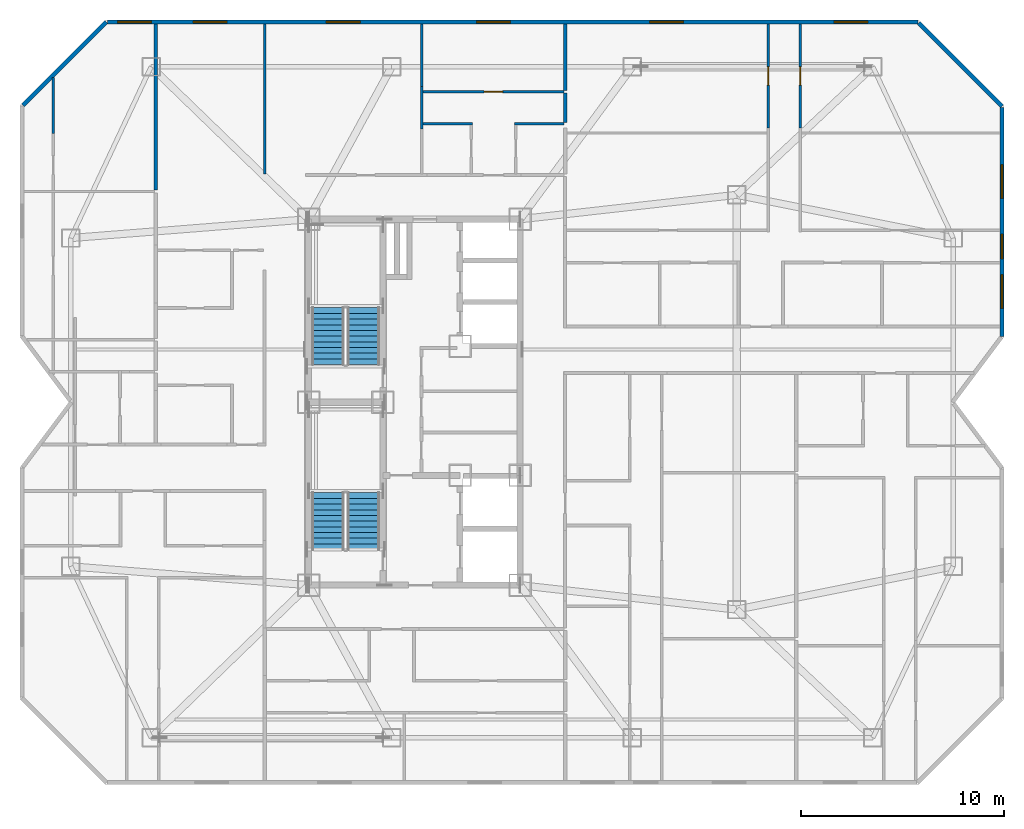
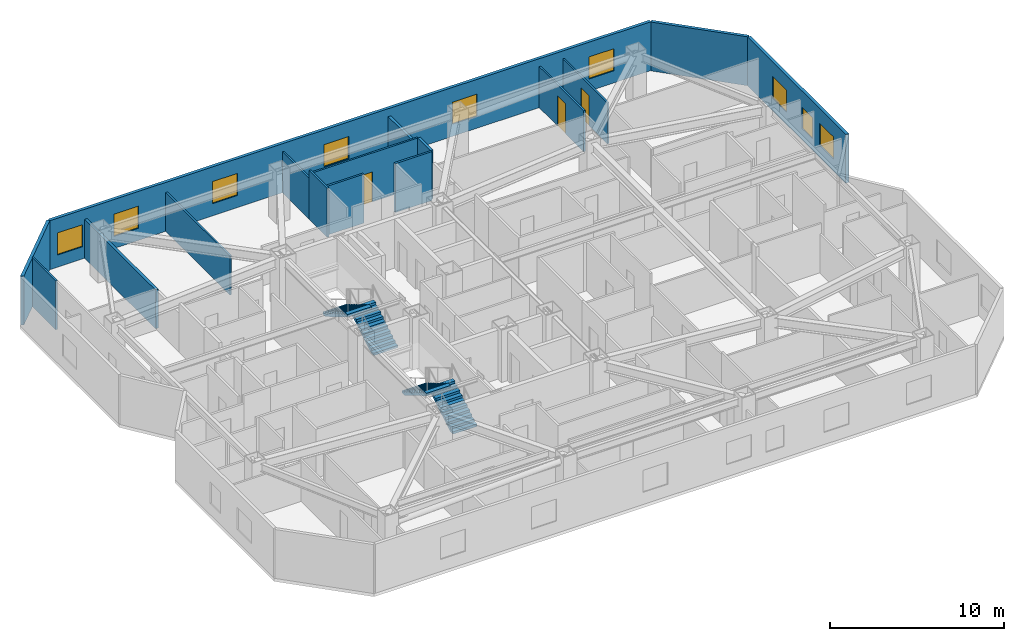
# One storey, part 10 of 11: 16 walls, 9 windows, 4 stair flights, 3 doors, 12 openings, 2 elements without a shape of their own.
"""IFC4 building model written with IfcOpenShell, lengths in metres."""

from ifc_helpers import new_model, si_unit, direction, frame, frame_2d, origin, place, context, subcontext, project, spatial, polyline, rectangle, outline, extrude, material, layer, layer_set, type_object, element, fill, aggregate, save


model = new_model("IFC4")

# Units and contexts
model_context = context("Model", 3, precision=1e-05, world=origin(), true_north=direction((0.0, 1.0)))
body_context = subcontext(model_context, "Body", "Model", "MODEL_VIEW")
ifc_project = project(units=[si_unit("LENGTHUNIT", "METRE"), si_unit("AREAUNIT", "SQUARE_METRE"), si_unit("VOLUMEUNIT", "CUBIC_METRE"), si_unit("PLANEANGLEUNIT", "RADIAN"), si_unit("MASSUNIT", "GRAM", prefix="KILO")], contexts=[model_context])

# Site, building, storey
site_placement = place(None, origin())
site = spatial("IfcSite", under=ifc_project, at=site_placement, CompositionType="ELEMENT")
building_placement = place(site_placement, origin())
building = spatial("IfcBuilding", under=site, at=building_placement, Name="Khamvora Tower", CompositionType="ELEMENT")
storey_placement = place(building_placement, frame((0.0, 0.0, 174.14990234375)))
storey = spatial("IfcBuildingStorey", under=building, at=storey_placement, Name="L44", CompositionType="ELEMENT", Elevation=174.14990234375)

# Walls
ifc_material_1 = material(Name="Acoustic Double-Stud Fire Wall", Category="gypsum")
ifc_layer_1 = layer(ifc_material_1, 0.179931640625)
ifc_layer_set_1 = layer_set([ifc_layer_1], Name="Acoustic Double-Stud Fire Wall")
wall_type_1 = type_object("IfcWallType", Name="WAL-CORR-180", PredefinedType="STANDARD", material=ifc_layer_set_1)
wall_1_placement = place(storey_placement, frame((21.47509765625, 46.60791015625, 0.0), z_axis=(0.0, 0.0, 1.0), x_axis=(0.0, -1.0, 0.0)))
element("IfcWall", 1, at=wall_1_placement, inside=storey, type_object=wall_type_1, Name="L44 interior partition wall 072", PredefinedType="STANDARD", context=body_context, shape_type="SweptSolid", body=[
    extrude(rectangle(XDim=8.179931640625, YDim=0.179931640625, at=frame_2d((4.08984375, 0.0))), origin(), (0.0, 0.0, 1.0), 2.72509765625),
])
wall_2_placement = place(storey_placement, frame((41.614990234375, 43.2099609375, 0.0), z_axis=(0.0, 0.0, 1.0), x_axis=(0.0, -1.0, 0.0)))
element("IfcWall", 2, at=wall_2_placement, inside=storey, type_object=wall_type_1, Name="L44 interior partition wall 094", PredefinedType="STANDARD", context=body_context, shape_type="SweptSolid", body=[
    extrude(rectangle(XDim=1.449951171875, YDim=0.179931640625, at=frame_2d((0.72509765625, 0.0))), origin(), (0.0, 0.0, 1.0), 3.43017578125),
])
wall_3_placement = place(storey_placement, frame((41.614990234375, 46.60791015625, 0.0), z_axis=(0.0, 0.0, 1.0), x_axis=(0.0, -1.0, 0.0)))
element("IfcWall", 3, at=wall_3_placement, inside=storey, type_object=wall_type_1, Name="L44 interior partition wall 096", PredefinedType="STANDARD", context=body_context, shape_type="SweptSolid", body=[
    extrude(rectangle(XDim=3.267822265625, YDim=0.179931640625, at=frame_2d((1.6337890625, 0.0))), origin(), (0.0, 0.0, 1.0), 2.8759765625),
])
ifc_material_2 = material(Name="Precast concrete C40/50", Category="concrete")
ifc_layer_2 = layer(ifc_material_2, 0.199951171875)
ifc_layer_set_2 = layer_set([ifc_layer_2], Name="Precast concrete C40/50")
wall_type_2 = type_object("IfcWallType", Name="WAL-EXT-200", PredefinedType="STANDARD", material=ifc_layer_set_2)
wall_4_placement = place(storey_placement, frame((14.945068359375, 42.60400390625, 0.0), z_axis=(0.0, 0.0, 1.0), x_axis=(0.707106781187, 0.707106781187, 0.0)))
element("IfcWall", 4, at=wall_4_placement, inside=storey, type_object=wall_type_2, Name="L44 exterior facade wall 06.1", PredefinedType="STANDARD", context=body_context, shape_type="SweptSolid", body=[
    extrude(rectangle(XDim=5.79248046875, YDim=0.199951171875, at=frame_2d((2.896240234375, 0.0))), origin(), (0.0, 0.0, 1.0), 3.43017578125),
])

# Wall, openings, windows
wall_5_placement = place(storey_placement, frame((19.10205078125, 46.699951171875, 0.0), z_axis=(0.0, 0.0, 1.0), x_axis=(1.0, 0.0, 0.0)))
wall_5 = element("IfcWall", 5, at=wall_5_placement, inside=storey, type_object=wall_type_2, Name="L44 exterior facade wall 07.1", PredefinedType="STANDARD", context=body_context, shape_type="SweptSolid", body=[
    extrude(rectangle(XDim=39.85693359375, YDim=0.199951171875, at=frame_2d((19.928466796875, 0.0))), origin(), (0.0, 0.0, 1.0), 3.43017578125),
])
opening_1_placement = place(wall_5_placement, frame((10.77294921875, 0.0, 0.85009765625)))
opening_1 = element("IfcOpeningElement", 6, at=opening_1_placement, cuts=wall_5, Name="Opening WN-06", PredefinedType="OPENING", context=body_context, shape_type="SweptSolid", body=[
    extrude(rectangle(XDim=1.64990234375, YDim=1.550048828125, at=frame_2d((0.824951171875, 0.77490234375))), frame((0.0, 0.10986328125, 0.0), z_axis=(0.0, -1.0, 0.0), x_axis=(1.0, 0.0, 0.0)), (0.0, 0.0, 1.0), 0.219970703125),
])
opening_2_placement = place(wall_5_placement, frame((0.50390625, 0.0, 0.85009765625)))
opening_2 = element("IfcOpeningElement", 7, at=opening_2_placement, cuts=wall_5, Name="Opening WN-06", PredefinedType="OPENING", context=body_context, shape_type="SweptSolid", body=[
    extrude(rectangle(XDim=1.64990234375, YDim=1.550048828125, at=frame_2d((0.824951171875, 0.77490234375))), frame((0.0, 0.10986328125, 0.0), z_axis=(0.0, -1.0, 0.0), x_axis=(1.0, 0.0, 0.0)), (0.0, 0.0, 1.0), 0.219970703125),
])
opening_3_placement = place(wall_5_placement, frame((4.22802734375, 0.0, 0.85009765625)))
opening_3 = element("IfcOpeningElement", 8, at=opening_3_placement, cuts=wall_5, Name="Opening WN-06", PredefinedType="OPENING", context=body_context, shape_type="SweptSolid", body=[
    extrude(rectangle(XDim=1.64990234375, YDim=1.550048828125, at=frame_2d((0.824951171875, 0.77490234375))), frame((0.0, 0.10986328125, 0.0), z_axis=(0.0, -1.0, 0.0), x_axis=(1.0, 0.0, 0.0)), (0.0, 0.0, 1.0), 0.219970703125),
])
opening_4_placement = place(wall_5_placement, frame((18.1630859375, 0.0, 0.85009765625)))
opening_4 = element("IfcOpeningElement", 9, at=opening_4_placement, cuts=wall_5, Name="Opening WN-06", PredefinedType="OPENING", context=body_context, shape_type="SweptSolid", body=[
    extrude(rectangle(XDim=1.64990234375, YDim=1.550048828125, at=frame_2d((0.824951171875, 0.77490234375))), frame((0.0, 0.10986328125, 0.0), z_axis=(0.0, -1.0, 0.0), x_axis=(1.0, 0.0, 0.0)), (0.0, 0.0, 1.0), 0.219970703125),
])
opening_5_placement = place(wall_5_placement, frame((26.679931640625, 0.0, 0.85009765625)))
opening_5 = element("IfcOpeningElement", 10, at=opening_5_placement, cuts=wall_5, Name="Opening WN-06", PredefinedType="OPENING", context=body_context, shape_type="SweptSolid", body=[
    extrude(rectangle(XDim=1.64990234375, YDim=1.550048828125, at=frame_2d((0.824951171875, 0.77490234375))), frame((0.0, 0.10986328125, 0.0), z_axis=(0.0, -1.0, 0.0), x_axis=(1.0, 0.0, 0.0)), (0.0, 0.0, 1.0), 0.219970703125),
])
opening_6_placement = place(wall_5_placement, frame((35.7451171875, 0.0, 0.85009765625)))
opening_6 = element("IfcOpeningElement", 11, at=opening_6_placement, cuts=wall_5, Name="Opening WN-06", PredefinedType="OPENING", context=body_context, shape_type="SweptSolid", body=[
    extrude(rectangle(XDim=1.64990234375, YDim=1.550048828125, at=frame_2d((0.824951171875, 0.77490234375))), frame((0.0, 0.10986328125, 0.0), z_axis=(0.0, -1.0, 0.0), x_axis=(1.0, 0.0, 0.0)), (0.0, 0.0, 1.0), 0.219970703125),
])
ifc_material_3 = material(Name="Low-E Laminated Double Glazing", Category="glass")
window_type_1 = type_object("IfcWindowType", Name="WIN-VIS-1650x1550", PartitioningType="SINGLE_PANEL", PredefinedType="WINDOW", material=ifc_material_3)
window_1_placement = place(opening_1_placement, origin())
window_1 = element("IfcWindow", 12, at=window_1_placement, inside=storey, type_object=window_type_1, Name="L44 vision window 07.1.01", OverallHeight=1.550048828125, OverallWidth=1.64990234375, PartitioningType="SINGLE_PANEL", PredefinedType="WINDOW", context=body_context, shape_type="SweptSolid", body=[
    extrude(rectangle(XDim=1.64990234375, YDim=1.550048828125, at=frame_2d((0.824951171875, 0.77490234375))), frame((0.0, 0.030029296875, 0.0), z_axis=(0.0, -1.0, 0.0), x_axis=(1.0, 0.0, 0.0)), (0.0, 0.0, 1.0), 0.06005859375),
])
fill(opening_1, window_1)
window_2_placement = place(opening_2_placement, origin())
window_2 = element("IfcWindow", 13, at=window_2_placement, inside=storey, type_object=window_type_1, Name="L44 vision window 07.1.02", OverallHeight=1.550048828125, OverallWidth=1.64990234375, PartitioningType="SINGLE_PANEL", PredefinedType="WINDOW", context=body_context, shape_type="SweptSolid", body=[
    extrude(rectangle(XDim=1.64990234375, YDim=1.550048828125, at=frame_2d((0.824951171875, 0.77490234375))), frame((0.0, 0.030029296875, 0.0), z_axis=(0.0, -1.0, 0.0), x_axis=(1.0, 0.0, 0.0)), (0.0, 0.0, 1.0), 0.06005859375),
])
fill(opening_2, window_2)
window_3_placement = place(opening_3_placement, origin())
window_3 = element("IfcWindow", 14, at=window_3_placement, inside=storey, type_object=window_type_1, Name="L44 vision window 07.1.03", OverallHeight=1.550048828125, OverallWidth=1.64990234375, PartitioningType="SINGLE_PANEL", PredefinedType="WINDOW", context=body_context, shape_type="SweptSolid", body=[
    extrude(rectangle(XDim=1.64990234375, YDim=1.550048828125, at=frame_2d((0.824951171875, 0.77490234375))), frame((0.0, 0.030029296875, 0.0), z_axis=(0.0, -1.0, 0.0), x_axis=(1.0, 0.0, 0.0)), (0.0, 0.0, 1.0), 0.06005859375),
])
fill(opening_3, window_3)
window_4_placement = place(opening_4_placement, origin())
window_4 = element("IfcWindow", 15, at=window_4_placement, inside=storey, type_object=window_type_1, Name="L44 vision window 07.1.04", OverallHeight=1.550048828125, OverallWidth=1.64990234375, PartitioningType="SINGLE_PANEL", PredefinedType="WINDOW", context=body_context, shape_type="SweptSolid", body=[
    extrude(rectangle(XDim=1.64990234375, YDim=1.550048828125, at=frame_2d((0.824951171875, 0.77490234375))), frame((0.0, 0.030029296875, 0.0), z_axis=(0.0, -1.0, 0.0), x_axis=(1.0, 0.0, 0.0)), (0.0, 0.0, 1.0), 0.06005859375),
])
fill(opening_4, window_4)
window_5_placement = place(opening_5_placement, origin())
window_5 = element("IfcWindow", 16, at=window_5_placement, inside=storey, type_object=window_type_1, Name="L44 vision window 07.1.05", OverallHeight=1.550048828125, OverallWidth=1.64990234375, PartitioningType="SINGLE_PANEL", PredefinedType="WINDOW", context=body_context, shape_type="SweptSolid", body=[
    extrude(rectangle(XDim=1.64990234375, YDim=1.550048828125, at=frame_2d((0.824951171875, 0.77490234375))), frame((0.0, 0.030029296875, 0.0), z_axis=(0.0, -1.0, 0.0), x_axis=(1.0, 0.0, 0.0)), (0.0, 0.0, 1.0), 0.06005859375),
])
fill(opening_5, window_5)
window_6_placement = place(opening_6_placement, origin())
window_6 = element("IfcWindow", 17, at=window_6_placement, inside=storey, type_object=window_type_1, Name="L44 vision window 07.1.06", OverallHeight=1.550048828125, OverallWidth=1.64990234375, PartitioningType="SINGLE_PANEL", PredefinedType="WINDOW", context=body_context, shape_type="SweptSolid", body=[
    extrude(rectangle(XDim=1.64990234375, YDim=1.550048828125, at=frame_2d((0.824951171875, 0.77490234375))), frame((0.0, 0.030029296875, 0.0), z_axis=(0.0, -1.0, 0.0), x_axis=(1.0, 0.0, 0.0)), (0.0, 0.0, 1.0), 0.06005859375),
])
fill(opening_6, window_6)

# Wall
wall_6_placement = place(storey_placement, frame((59.0029296875, 46.656005859375, 0.0), z_axis=(0.0, 0.0, 1.0), x_axis=(0.707127848917, -0.707085712828, 0.0)))
element("IfcWall", 18, at=wall_6_placement, inside=storey, type_object=wall_type_2, Name="L44 exterior facade wall 08.1", PredefinedType="STANDARD", context=body_context, shape_type="SweptSolid", body=[
    extrude(rectangle(XDim=5.794189453125, YDim=0.199951171875, at=frame_2d((2.89697265625, 0.0))), origin(), (0.0, 0.0, 1.0), 3.43017578125),
])

# Wall, openings, windows
wall_7_placement = place(storey_placement, frame((63.10009765625, 42.49609375, 0.0), z_axis=(0.0, 0.0, 1.0), x_axis=(0.0, -1.0, 0.0)))
wall_7 = element("IfcWall", 19, at=wall_7_placement, inside=storey, type_object=wall_type_2, Name="L44 exterior facade wall 09.1", PredefinedType="STANDARD", context=body_context, shape_type="SweptSolid", body=[
    extrude(rectangle(XDim=11.26318359375, YDim=0.199951171875, at=frame_2d((5.631591796875, 0.0))), origin(), (0.0, 0.0, 1.0), 3.43017578125),
])
opening_7_placement = place(wall_7_placement, frame((8.22802734375, 0.0, 0.85009765625)))
opening_7 = element("IfcOpeningElement", 20, at=opening_7_placement, cuts=wall_7, Name="Opening WN-06", PredefinedType="OPENING", context=body_context, shape_type="SweptSolid", body=[
    extrude(rectangle(XDim=1.64990234375, YDim=1.550048828125, at=frame_2d((0.824951171875, 0.77490234375))), frame((0.0, 0.10986328125, 0.0), z_axis=(0.0, -1.0, 0.0), x_axis=(1.0, 0.0, 0.0)), (0.0, 0.0, 1.0), 0.219970703125),
])
opening_8_placement = place(wall_7_placement, frame((6.237060546875, 0.0, 0.800048828125)))
opening_8 = element("IfcOpeningElement", 21, at=opening_8_placement, cuts=wall_7, Name="Opening WN-03", PredefinedType="OPENING", context=body_context, shape_type="SweptSolid", body=[
    extrude(rectangle(XDim=1.199951171875, YDim=1.5, at=frame_2d((0.60009765625, 0.75))), frame((0.0, 0.10986328125, 0.0), z_axis=(0.0, -1.0, 0.0), x_axis=(1.0, 0.0, 0.0)), (0.0, 0.0, 1.0), 0.219970703125),
])
opening_9_placement = place(wall_7_placement, frame((2.825927734375, 0.0, 0.85009765625)))
opening_9 = element("IfcOpeningElement", 22, at=opening_9_placement, cuts=wall_7, Name="Opening WN-06", PredefinedType="OPENING", context=body_context, shape_type="SweptSolid", body=[
    extrude(rectangle(XDim=1.64990234375, YDim=1.550048828125, at=frame_2d((0.824951171875, 0.77490234375))), frame((0.0, 0.10986328125, 0.0), z_axis=(0.0, -1.0, 0.0), x_axis=(1.0, 0.0, 0.0)), (0.0, 0.0, 1.0), 0.219970703125),
])
window_type_2 = type_object("IfcWindowType", Name="WIN-VIS-1200x1500", PartitioningType="SINGLE_PANEL", PredefinedType="WINDOW", material=ifc_material_3)
window_7_placement = place(opening_8_placement, origin())
window_7 = element("IfcWindow", 23, at=window_7_placement, inside=storey, type_object=window_type_2, Name="L44 vision window 09.1.02", OverallHeight=1.5, OverallWidth=1.199951171875, PartitioningType="SINGLE_PANEL", PredefinedType="WINDOW", context=body_context, shape_type="SweptSolid", body=[
    extrude(rectangle(XDim=1.199951171875, YDim=1.5, at=frame_2d((0.60009765625, 0.75))), frame((0.0, 0.030029296875, 0.0), z_axis=(0.0, -1.0, 0.0), x_axis=(1.0, 0.0, 0.0)), (0.0, 0.0, 1.0), 0.06005859375),
])
fill(opening_8, window_7)
window_8_placement = place(opening_7_placement, origin())
window_8 = element("IfcWindow", 24, at=window_8_placement, inside=storey, type_object=window_type_1, Name="L44 vision window 09.1.01", OverallHeight=1.550048828125, OverallWidth=1.64990234375, PartitioningType="SINGLE_PANEL", PredefinedType="WINDOW", context=body_context, shape_type="SweptSolid", body=[
    extrude(rectangle(XDim=1.64990234375, YDim=1.550048828125, at=frame_2d((0.824951171875, 0.77490234375))), frame((0.0, 0.030029296875, 0.0), z_axis=(0.0, -1.0, 0.0), x_axis=(1.0, 0.0, 0.0)), (0.0, 0.0, 1.0), 0.06005859375),
])
fill(opening_7, window_8)
window_9_placement = place(opening_9_placement, origin())
window_9 = element("IfcWindow", 25, at=window_9_placement, inside=storey, type_object=window_type_1, Name="L44 vision window 09.1.03", OverallHeight=1.550048828125, OverallWidth=1.64990234375, PartitioningType="SINGLE_PANEL", PredefinedType="WINDOW", context=body_context, shape_type="SweptSolid", body=[
    extrude(rectangle(XDim=1.64990234375, YDim=1.550048828125, at=frame_2d((0.824951171875, 0.77490234375))), frame((0.0, 0.030029296875, 0.0), z_axis=(0.0, -1.0, 0.0), x_axis=(1.0, 0.0, 0.0)), (0.0, 0.0, 1.0), 0.06005859375),
])
fill(opening_9, window_9)

# Walls
ifc_material_4 = material(Name="Gypsum Plasterboard Partition", Category="gypsum")
ifc_layer_3 = layer(ifc_material_4, 0.1201171875)
ifc_layer_set_3 = layer_set([ifc_layer_3], Name="Gypsum Plasterboard Partition")
wall_type_3 = type_object("IfcWallType", Name="WAL-PART-120", PredefinedType="PARTITIONING", material=ifc_layer_set_3)
wall_8_placement = place(storey_placement, frame((26.8349609375, 39.22998046875, 0.0), z_axis=(0.0, 0.0, 1.0), x_axis=(0.0, 1.0, 0.0)))
element("IfcWall", 26, at=wall_8_placement, inside=storey, type_object=wall_type_3, Name="L44 interior partition wall 043", PredefinedType="PARTITIONING", context=body_context, shape_type="SweptSolid", body=[
    extrude(rectangle(XDim=7.3779296875, YDim=0.1201171875, at=frame_2d((3.68896484375, 0.0))), origin(), (0.0, 0.0, 1.0), 2.72509765625),
])
wall_9_placement = place(storey_placement, frame((34.56494140625, 43.52392578125, 0.0), z_axis=(0.0, 0.0, 1.0), x_axis=(0.0, -1.0, 0.0)))
element("IfcWall", 27, at=wall_9_placement, inside=storey, type_object=wall_type_3, Name="L44 interior partition wall 044", PredefinedType="PARTITIONING", context=body_context, shape_type="SweptSolid", body=[
    extrude(rectangle(XDim=2.077880859375, YDim=0.1201171875, at=frame_2d((1.0390625, 0.0))), origin(), (0.0, 0.0, 1.0), 3.43017578125),
])
wall_10_placement = place(storey_placement, frame((34.56494140625, 46.60791015625, 0.0), z_axis=(0.0, 0.0, 1.0), x_axis=(0.0, -1.0, 0.0)))
element("IfcWall", 28, at=wall_10_placement, inside=storey, type_object=wall_type_3, Name="L44 interior partition wall 046", PredefinedType="PARTITIONING", context=body_context, shape_type="SweptSolid", body=[
    extrude(rectangle(XDim=3.083984375, YDim=0.1201171875, at=frame_2d((1.5419921875, 0.0))), origin(), (0.0, 0.0, 1.0), 2.8759765625),
])
wall_11_placement = place(storey_placement, frame((16.425048828125, 43.968994140625, 0.0), z_axis=(0.0, 0.0, 1.0), x_axis=(0.0, -1.0, 0.0)))
element("IfcWall", 29, at=wall_11_placement, inside=storey, type_object=wall_type_3, Name="L44 interior partition wall 064", PredefinedType="PARTITIONING", context=body_context, shape_type="SweptSolid", body=[
    extrude(rectangle(XDim=2.757080078125, YDim=0.1201171875, at=frame_2d((1.37841796875, 0.0))), origin(), (0.0, 0.0, 1.0), 3.43017578125),
])

# Wall, opening, door
wall_12_placement = place(storey_placement, frame((34.618896484375, 43.27490234375, 0.0), z_axis=(0.0, 0.0, 1.0), x_axis=(1.0, 0.0, 0.0)))
wall_12 = element("IfcWall", 30, at=wall_12_placement, inside=storey, type_object=wall_type_3, Name="L44 interior partition wall 093", PredefinedType="PARTITIONING", context=body_context, shape_type="SweptSolid", body=[
    extrude(rectangle(XDim=6.93115234375, YDim=0.1201171875, at=frame_2d((3.465576171875, 0.0))), origin(), (0.0, 0.0, 1.0), 3.43017578125),
])
opening_10_placement = place(wall_12_placement, frame((3.014892578125, 0.0, 0.0)))
opening_10 = element("IfcOpeningElement", 31, at=opening_10_placement, cuts=wall_12, Name="Opening D-RM1", PredefinedType="OPENING", context=body_context, shape_type="SweptSolid", body=[
    extrude(rectangle(XDim=0.89990234375, YDim=2.10009765625, at=frame_2d((0.449951171875, 1.050048828125))), frame((0.0, 0.070068359375, 0.0), z_axis=(0.0, -1.0, 0.0), x_axis=(1.0, 0.0, 0.0)), (0.0, 0.0, 1.0), 0.14013671875),
])
ifc_material_5 = material(Name="Powder-Coated Steel and Hardwood Leaf", Category="steel")
door_type = type_object("IfcDoorType", Name="DOR-ROOM-900", OperationType="NOTDEFINED", PredefinedType="DOOR", material=ifc_material_5)
door_1_placement = place(opening_10_placement, origin())
door_1 = element("IfcDoor", 32, at=door_1_placement, inside=storey, type_object=door_type, Name="L44 interior door 44NAH-44NAS", OperationType="SINGLE_SWING_LEFT", OverallHeight=2.10009765625, OverallWidth=0.89990234375, PredefinedType="DOOR", context=body_context, shape_type="SweptSolid", body=[
    extrude(rectangle(XDim=0.89990234375, YDim=2.10009765625, at=frame_2d((0.449951171875, 1.050048828125))), frame((0.0, 0.02490234375, 0.0), z_axis=(0.0, -1.0, 0.0), x_axis=(1.0, 0.0, 0.0)), (0.0, 0.0, 1.0), 0.050048828125),
])
fill(opening_10, door_1)

wall_13_placement = place(storey_placement, frame((51.60009765625, 41.489990234375, 0.0), z_axis=(0.0, 0.0, 1.0), x_axis=(0.0, 1.0, 0.0)))
wall_13 = element("IfcWall", 33, at=wall_13_placement, inside=storey, type_object=wall_type_3, Name="L44 interior partition wall 135", PredefinedType="PARTITIONING", context=body_context, shape_type="SweptSolid", body=[
    extrude(rectangle(XDim=5.117919921875, YDim=0.1201171875, at=frame_2d((2.55908203125, 0.0))), origin(), (0.0, 0.0, 1.0), 2.8759765625),
])
opening_11_placement = place(wall_13_placement, frame((2.10888671875, 0.0, 0.0)))
opening_11 = element("IfcOpeningElement", 34, at=opening_11_placement, cuts=wall_13, Name="Opening D-RM1", PredefinedType="OPENING", context=body_context, shape_type="SweptSolid", body=[
    extrude(rectangle(XDim=0.89990234375, YDim=2.10009765625, at=frame_2d((0.449951171875, 1.050048828125))), frame((0.0, 0.070068359375, 0.0), z_axis=(0.0, -1.0, 0.0), x_axis=(1.0, 0.0, 0.0)), (0.0, 0.0, 1.0), 0.14013671875),
])
door_2_placement = place(opening_11_placement, origin())
door_2 = element("IfcDoor", 35, at=door_2_placement, inside=storey, type_object=door_type, Name="L44 interior door 44ECH-44ECR2", OperationType="SINGLE_SWING_RIGHT", OverallHeight=2.10009765625, OverallWidth=0.89990234375, PredefinedType="DOOR", context=body_context, shape_type="SweptSolid", body=[
    extrude(rectangle(XDim=0.89990234375, YDim=2.10009765625, at=frame_2d((0.449951171875, 1.050048828125))), frame((0.0, 0.02490234375, 0.0), z_axis=(0.0, -1.0, 0.0), x_axis=(1.0, 0.0, 0.0)), (0.0, 0.0, 1.0), 0.050048828125),
])
fill(opening_11, door_2)

wall_14_placement = place(storey_placement, frame((53.169921875, 46.60791015625, 0.0), z_axis=(0.0, 0.0, 1.0), x_axis=(0.0, -1.0, 0.0)))
wall_14 = element("IfcWall", 36, at=wall_14_placement, inside=storey, type_object=wall_type_3, Name="L44 interior partition wall 138", PredefinedType="PARTITIONING", context=body_context, shape_type="SweptSolid", body=[
    extrude(rectangle(XDim=5.117919921875, YDim=0.1201171875, at=frame_2d((2.55908203125, 0.0))), origin(), (0.0, 0.0, 1.0), 2.8759765625),
])
opening_12_placement = place(wall_14_placement, frame((2.10888671875, 0.0, 0.0)))
opening_12 = element("IfcOpeningElement", 37, at=opening_12_placement, cuts=wall_14, Name="Opening D-RM1", PredefinedType="OPENING", context=body_context, shape_type="SweptSolid", body=[
    extrude(rectangle(XDim=0.89990234375, YDim=2.10009765625, at=frame_2d((0.449951171875, 1.050048828125))), frame((0.0, 0.070068359375, 0.0), z_axis=(0.0, -1.0, 0.0), x_axis=(1.0, 0.0, 0.0)), (0.0, 0.0, 1.0), 0.14013671875),
])
door_3_placement = place(opening_12_placement, origin())
door_3 = element("IfcDoor", 38, at=door_3_placement, inside=storey, type_object=door_type, Name="L44 interior door 44ECH-44ECR4", OperationType="SINGLE_SWING_RIGHT", OverallHeight=2.10009765625, OverallWidth=0.89990234375, PredefinedType="DOOR", context=body_context, shape_type="SweptSolid", body=[
    extrude(rectangle(XDim=0.89990234375, YDim=2.10009765625, at=frame_2d((0.449951171875, 1.050048828125))), frame((0.0, 0.02490234375, 0.0), z_axis=(0.0, -1.0, 0.0), x_axis=(1.0, 0.0, 0.0)), (0.0, 0.0, 1.0), 0.050048828125),
])
fill(opening_12, door_3)

# Walls
ifc_material_6 = material(Name="Moisture-Resistant Plasterboard Partition", Category="gypsum")
ifc_layer_4 = layer(ifc_material_6, 0.135009765625)
ifc_layer_set_4 = layer_set([ifc_layer_4], Name="Moisture-Resistant Plasterboard Partition")
wall_type_4 = type_object("IfcWallType", Name="WAL-WET-135", PredefinedType="PARTITIONING", material=ifc_layer_set_4)
wall_15_placement = place(storey_placement, frame((41.550048828125, 41.695068359375, 0.0), z_axis=(0.0, 0.0, 1.0), x_axis=(-1.0, 0.0, 0.0)))
element("IfcWall", 39, at=wall_15_placement, inside=storey, type_object=wall_type_4, Name="L44 interior partition wall 089", PredefinedType="PARTITIONING", context=body_context, shape_type="SweptSolid", body=[
    extrude(rectangle(XDim=2.425048828125, YDim=0.135009765625, at=frame_2d((1.21240234375, 0.0))), origin(), (0.0, 0.0, 1.0), 3.43017578125),
])
wall_16_placement = place(storey_placement, frame((37.054931640625, 41.695068359375, 0.0), z_axis=(0.0, 0.0, 1.0), x_axis=(-1.0, 0.0, 0.0)))
element("IfcWall", 40, at=wall_16_placement, inside=storey, type_object=wall_type_4, Name="L44 interior partition wall 092", PredefinedType="PARTITIONING", context=body_context, shape_type="SweptSolid", body=[
    extrude(rectangle(XDim=2.43603515625, YDim=0.135009765625, at=frame_2d((1.218017578125, 0.0))), origin(), (0.0, 0.0, 1.0), 3.43017578125),
])

# Stair, stair flights
ifc_material_7 = material(Name="Concrete C40/50", Category="concrete")
stair_type_1 = type_object("IfcStairType", Name="STR-ST-01", PredefinedType="HALF_TURN_STAIR", material=ifc_material_7)
stair_1_placement = place(storey_placement, origin())
stair_1 = element("IfcStair", 41, at=stair_1_placement, inside=storey, type_object=stair_type_1, Name="L44 South Tower Exit Stair ST-01", PredefinedType="HALF_TURN_STAIR")
stair_flight_type_1 = type_object("IfcStairFlightType", Name="STF-ST-01", PredefinedType="STRAIGHT", material=ifc_material_7)
stair_flight_1_placement = place(storey_placement, frame((31.699951171875, 20.75, 0.0), z_axis=(0.0, 0.0, 1.0), x_axis=(0.0, 1.0, 0.0)))
stair_flight_1 = element("IfcStairFlight", 42, at=stair_flight_1_placement, type_object=stair_flight_type_1, Name="ST-01 flight 1", NumberOfRisers=11, NumberOfTreads=10, PredefinedType="STRAIGHT", RiserHeight=0.165909091, TreadLength=0.28, context=body_context, shape_type="SweptSolid", body=[
    extrude(outline(polyline([(0.0, 0.0), (0.0, 0.166015625), (0.280029296875, 0.166015625), (0.280029296875, 0.331787109375), (0.56005859375, 0.331787109375), (0.56005859375, 0.497802734375), (0.840087890625, 0.497802734375), (0.840087890625, 0.66357421875), (1.1201171875, 0.66357421875), (1.1201171875, 0.82958984375), (1.39990234375, 0.82958984375), (1.39990234375, 0.995361328125), (1.679931640625, 0.995361328125), (1.679931640625, 1.161376953125), (1.9599609375, 1.161376953125), (1.9599609375, 1.327392578125), (2.239990234375, 1.327392578125), (2.239990234375, 1.4931640625), (2.52001953125, 1.4931640625), (2.52001953125, 1.6591796875), (2.800048828125, 1.6591796875), (2.800048828125, 1.824951171875), (2.800048828125, 1.48486328125), (0.2939453125, 0.0), (0.0, 0.0)])), frame((0.0, 0.800048828125, 0.0), z_axis=(0.0, -1.0, 0.0), x_axis=(1.0, 0.0, 0.0)), (0.0, 0.0, 1.0), 1.60009765625),
])
stair_flight_2_placement = place(storey_placement, frame((29.949951171875, 23.550048828125, 1.8251953125), z_axis=(0.0, 0.0, 1.0), x_axis=(0.0, -1.0, 0.0)))
stair_flight_2 = element("IfcStairFlight", 43, at=stair_flight_2_placement, type_object=stair_flight_type_1, Name="ST-01 flight 2", NumberOfRisers=11, NumberOfTreads=10, PredefinedType="STRAIGHT", RiserHeight=0.165909091, TreadLength=0.28, context=body_context, shape_type="SweptSolid", body=[
    extrude(outline(polyline([(0.0, 0.0), (0.0, 0.166015625), (0.280029296875, 0.166015625), (0.280029296875, 0.331787109375), (0.56005859375, 0.331787109375), (0.56005859375, 0.497802734375), (0.840087890625, 0.497802734375), (0.840087890625, 0.66357421875), (1.1201171875, 0.66357421875), (1.1201171875, 0.82958984375), (1.39990234375, 0.82958984375), (1.39990234375, 0.995361328125), (1.679931640625, 0.995361328125), (1.679931640625, 1.161376953125), (1.9599609375, 1.161376953125), (1.9599609375, 1.327392578125), (2.239990234375, 1.327392578125), (2.239990234375, 1.4931640625), (2.52001953125, 1.4931640625), (2.52001953125, 1.6591796875), (2.800048828125, 1.6591796875), (2.800048828125, 1.824951171875), (2.800048828125, 1.48486328125), (0.2939453125, 0.0), (0.0, 0.0)])), frame((0.0, 0.800048828125, 0.0), z_axis=(0.0, -1.0, 0.0), x_axis=(1.0, 0.0, 0.0)), (0.0, 0.0, 1.0), 1.60009765625),
])
aggregate(stair_1, [stair_flight_1, stair_flight_2])

stair_type_2 = type_object("IfcStairType", Name="STR-ST-02", PredefinedType="HALF_TURN_STAIR", material=ifc_material_7)
stair_2_placement = place(storey_placement, origin())
stair_2 = element("IfcStair", 44, at=stair_2_placement, inside=storey, type_object=stair_type_2, Name="L44 North Tower Exit Stair ST-02", PredefinedType="HALF_TURN_STAIR")
stair_flight_type_2 = type_object("IfcStairFlightType", Name="STF-ST-02", PredefinedType="STRAIGHT", material=ifc_material_7)
stair_flight_3_placement = place(storey_placement, frame((31.699951171875, 29.85009765625, 0.0), z_axis=(0.0, 0.0, 1.0), x_axis=(0.0, 1.0, 0.0)))
stair_flight_3 = element("IfcStairFlight", 45, at=stair_flight_3_placement, type_object=stair_flight_type_2, Name="ST-02 flight 1", NumberOfRisers=11, NumberOfTreads=10, PredefinedType="STRAIGHT", RiserHeight=0.165909091, TreadLength=0.28, context=body_context, shape_type="SweptSolid", body=[
    extrude(outline(polyline([(0.0, 0.0), (0.0, 0.166015625), (0.280029296875, 0.166015625), (0.280029296875, 0.331787109375), (0.56005859375, 0.331787109375), (0.56005859375, 0.497802734375), (0.840087890625, 0.497802734375), (0.840087890625, 0.66357421875), (1.1201171875, 0.66357421875), (1.1201171875, 0.82958984375), (1.39990234375, 0.82958984375), (1.39990234375, 0.995361328125), (1.679931640625, 0.995361328125), (1.679931640625, 1.161376953125), (1.9599609375, 1.161376953125), (1.9599609375, 1.327392578125), (2.239990234375, 1.327392578125), (2.239990234375, 1.4931640625), (2.52001953125, 1.4931640625), (2.52001953125, 1.6591796875), (2.800048828125, 1.6591796875), (2.800048828125, 1.824951171875), (2.800048828125, 1.48486328125), (0.2939453125, 0.0), (0.0, 0.0)])), frame((0.0, 0.800048828125, 0.0), z_axis=(0.0, -1.0, 0.0), x_axis=(1.0, 0.0, 0.0)), (0.0, 0.0, 1.0), 1.60009765625),
])
stair_flight_4_placement = place(storey_placement, frame((29.949951171875, 32.64990234375, 1.8251953125), z_axis=(0.0, 0.0, 1.0), x_axis=(0.0, -1.0, 0.0)))
stair_flight_4 = element("IfcStairFlight", 46, at=stair_flight_4_placement, type_object=stair_flight_type_2, Name="ST-02 flight 2", NumberOfRisers=11, NumberOfTreads=10, PredefinedType="STRAIGHT", RiserHeight=0.165909091, TreadLength=0.28, context=body_context, shape_type="SweptSolid", body=[
    extrude(outline(polyline([(0.0, 0.0), (0.0, 0.166015625), (0.280029296875, 0.166015625), (0.280029296875, 0.331787109375), (0.56005859375, 0.331787109375), (0.56005859375, 0.497802734375), (0.840087890625, 0.497802734375), (0.840087890625, 0.66357421875), (1.1201171875, 0.66357421875), (1.1201171875, 0.82958984375), (1.39990234375, 0.82958984375), (1.39990234375, 0.995361328125), (1.679931640625, 0.995361328125), (1.679931640625, 1.161376953125), (1.9599609375, 1.161376953125), (1.9599609375, 1.327392578125), (2.239990234375, 1.327392578125), (2.239990234375, 1.4931640625), (2.52001953125, 1.4931640625), (2.52001953125, 1.6591796875), (2.800048828125, 1.6591796875), (2.800048828125, 1.824951171875), (2.800048828125, 1.48486328125), (0.2939453125, 0.0), (0.0, 0.0)])), frame((0.0, 0.800048828125, 0.0), z_axis=(0.0, -1.0, 0.0), x_axis=(1.0, 0.0, 0.0)), (0.0, 0.0, 1.0), 1.60009765625),
])
aggregate(stair_2, [stair_flight_3, stair_flight_4])

save(model, "model.ifc")
